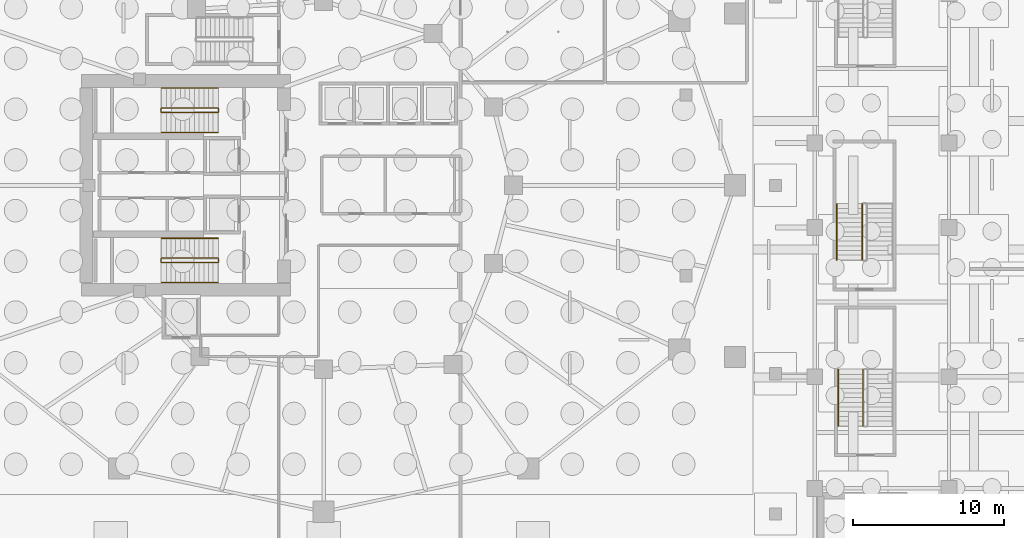
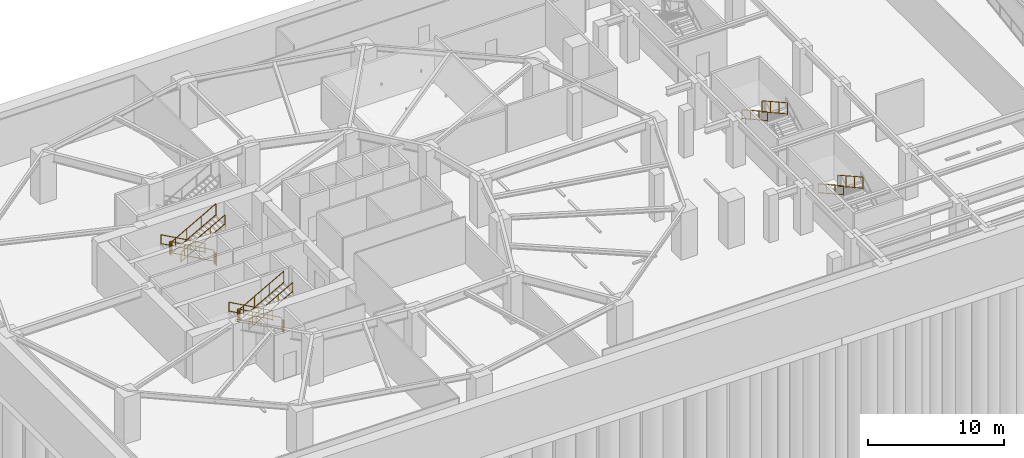
# One storey, part 15 of 19: 16 railings.
"""IFC4 building model written with IfcOpenShell, lengths in metres."""

import ifcopenshell
import ifcopenshell.guid

model = None  # the IFC model being written
_history = None  # IfcOwnerHistory: only IFC2X3 demands one
_inside = {}  # id of a spatial element -> (the spatial element, [elements in it])
_under = {}  # id of a project, library or spatial element -> (it, [spatial elements below it])
_declared = {}  # id of a project -> (the project, [libraries it declares])
_typed = {}  # id of a type object -> (the type object, [elements of that type])
_made_of = {}  # id of a material, layer set ... -> (it, [elements and type objects made of it])


def new_model(schema):
    """Start an empty IFC model of exactly this schema.

    Asked for "IFC4X3", IfcOpenShell would pick the latest addendum, in which some entities
    have other attributes; the version numbers below select the first issue.
    IFC2X3 requires an IfcOwnerHistory on every rooted entity: one is made here for all.
    """
    global model, _history
    if schema == "IFC4X3":
        model = ifcopenshell.file(schema_version=(4, 3, 0, 0))
    else:
        model = ifcopenshell.file(schema=schema)
    _inside.clear()
    _under.clear()
    _declared.clear()
    _typed.clear()
    _made_of.clear()
    _history = None
    if model.schema == "IFC2X3":
        org = make("IfcOrganization", Name="unknown")
        user = make(
            "IfcPersonAndOrganization",
            ThePerson=make("IfcPerson", FamilyName="unknown"),
            TheOrganization=org,
        )
        app = make(
            "IfcApplication",
            ApplicationDeveloper=org,
            Version="unknown",
            ApplicationFullName="unknown",
            ApplicationIdentifier="unknown",
        )
        _history = make(
            "IfcOwnerHistory",
            OwningUser=user,
            OwningApplication=app,
            ChangeAction="ADDED",
            CreationDate=0,
        )
    return model


def make(cls, **values):
    """One entity of the class cls with the attributes given. An attribute that is None is left unset."""
    return model.create_entity(
        cls, **{name: value for name, value in values.items() if value is not None}
    )


def rooted(cls, **values):
    """An entity with a GlobalId (a new one), such as an element, a storey or a relation."""
    return make(cls, GlobalId=ifcopenshell.guid.new(), OwnerHistory=_history, **values)


def si_unit(unit_type, name, prefix=None):
    """IfcSIUnit, for example si_unit("LENGTHUNIT", "METRE", prefix="MILLI")."""
    return make("IfcSIUnit", UnitType=unit_type, Prefix=prefix, Name=name)


def assignment(units):
    """IfcUnitAssignment: the units of a project."""
    return None if units is None else make("IfcUnitAssignment", Units=units)


def point(xyz):
    """IfcCartesianPoint."""
    return None if xyz is None else make("IfcCartesianPoint", Coordinates=xyz)


def direction(xyz):
    """IfcDirection."""
    return None if xyz is None else make("IfcDirection", DirectionRatios=xyz)


def frame(location, z_axis=None, x_axis=None):
    """IfcAxis2Placement3D, a coordinate frame: its origin and axes. An axis left out is left unset."""
    return make(
        "IfcAxis2Placement3D",
        Location=point(location),
        Axis=direction(z_axis),
        RefDirection=direction(x_axis),
    )


def frame_2d(location, x_axis=None):
    """IfcAxis2Placement2D, a coordinate frame in the plane: its origin and x axis."""
    return make(
        "IfcAxis2Placement2D", Location=point(location), RefDirection=direction(x_axis)
    )


def origin():
    """The frame at (0, 0, 0) with its axes left unset."""
    return frame((0.0, 0.0, 0.0))


def origin_2d():
    """The frame at (0, 0) in the plane with its x axis left unset."""
    return frame_2d((0.0, 0.0))


def place(relative_to, where):
    """IfcLocalPlacement: puts the frame where relative to a parent placement (None: the world)."""
    return make(
        "IfcLocalPlacement", PlacementRelTo=relative_to, RelativePlacement=where
    )


def context(
    kind, dimensions, precision=None, world=None, true_north=None, identifier=None
):
    """IfcGeometricRepresentationContext, for example the 3D "Model" context."""
    return make(
        "IfcGeometricRepresentationContext",
        ContextIdentifier=identifier,
        ContextType=kind,
        CoordinateSpaceDimension=dimensions,
        Precision=precision,
        WorldCoordinateSystem=world,
        TrueNorth=true_north,
    )


def subcontext(parent, identifier, kind, view, scale=None):
    """IfcGeometricRepresentationSubContext, for example "Body" below "Model"."""
    return make(
        "IfcGeometricRepresentationSubContext",
        ContextIdentifier=identifier,
        ContextType=kind,
        ParentContext=parent,
        TargetScale=scale,
        TargetView=view,
    )


def project(units=None, contexts=None):
    """IfcProject with its units and contexts."""
    return rooted(
        "IfcProject",
        Name="project",
        RepresentationContexts=contexts,
        UnitsInContext=assignment(units),
    )


def spatial(cls, under=None, at=None, **own):
    """A site, building, storey or space (cls), placed at a placement, below another one or the project."""
    s = rooted(cls, ObjectPlacement=at, **own)
    if under is not None:
        _under.setdefault(under.id(), (under, []))[1].append(s)
    return s


def profile(cls, at=None, kind="AREA", **sizes):
    """A parametric profile (cls). Its sizes go by their IFC names, for example OverallWidth=200.0."""
    return make(cls, ProfileType=kind, Position=at, **sizes)


def rectangle(**sizes):
    """IfcRectangleProfileDef."""
    return profile("IfcRectangleProfileDef", **sizes)


def extrude(swept, where, along, depth):
    """IfcExtrudedAreaSolid: the profile swept, set in the frame where, extruded along a direction by depth."""
    return make(
        "IfcExtrudedAreaSolid",
        SweptArea=swept,
        Position=where,
        ExtrudedDirection=direction(along),
        Depth=depth,
    )


def shape(context_of_items, identifier, shape_type, items):
    """IfcShapeRepresentation: the items that make up one representation, for example the "Body"."""
    return make(
        "IfcShapeRepresentation",
        ContextOfItems=context_of_items,
        RepresentationIdentifier=identifier,
        RepresentationType=shape_type,
        Items=items,
    )


def material(Name=None, Category=None):
    """IfcMaterial."""
    return make("IfcMaterial", Name=Name, Category=Category)


def made_of(thing, what):
    """Note that an element or type object is made of a material, layer set ...; save() writes the relation."""
    if what is not None:
        _made_of.setdefault(what.id(), (what, []))[1].append(thing)
    return thing


def type_object(cls, material=None, **own):
    """A type object (cls), such as IfcWallType, which elements share."""
    return made_of(rooted(cls, **own), material)


def element(
    cls,
    number,
    at=None,
    inside=None,
    cuts=None,
    type_object=None,
    material=None,
    context=None,
    identifier="Body",
    shape_type=None,
    held_by="IfcProductDefinitionShape",
    body=None,
    shapes=None,
    **own,
):
    """One element of the class cls, such as IfcWall. Its Tag is "e" and its number.

    at: its placement. inside: the storey or other place that contains it. cuts: it is an
    opening in that element (IfcRelVoidsElement). A single representation is given by context,
    identifier, shape_type and body (its items); several are given by shapes. held_by: the class
    of the entity that holds the representations. save() writes the other relations.
    """
    e = rooted(cls, Tag="e%d" % number, ObjectPlacement=at, **own)
    if body is not None:
        shapes = [shape(context, identifier, shape_type, body)]
    if shapes is not None:
        e.Representation = make(held_by, Representations=shapes)
    if inside is not None:
        _inside.setdefault(inside.id(), (inside, []))[1].append(e)
    if cuts is not None:
        rooted(
            "IfcRelVoidsElement", RelatingBuildingElement=cuts, RelatedOpeningElement=e
        )
    if type_object is not None:
        _typed.setdefault(type_object.id(), (type_object, []))[1].append(e)
    return made_of(e, material)


def aggregate(whole, parts):
    """IfcRelAggregates: a whole, such as a stair, and the parts it consists of."""
    return rooted("IfcRelAggregates", RelatingObject=whole, RelatedObjects=parts)


def save(model, path):
    """Write the relations noted so far, then the file.

    IfcRelAggregates (storeys below a building ...), IfcRelContainedInSpatialStructure (elements
    in a storey), IfcRelDefinesByType, IfcRelAssociatesMaterial and IfcRelDeclares: one each for
    every whole, place, type object, material and project.
    """
    for whole, parts in _under.values():
        aggregate(whole, parts)
    for where, things in _inside.values():
        rooted(
            "IfcRelContainedInSpatialStructure",
            RelatedElements=things,
            RelatingStructure=where,
        )
    for kind, things in _typed.values():
        rooted("IfcRelDefinesByType", RelatedObjects=things, RelatingType=kind)
    for what, things in _made_of.values():
        rooted("IfcRelAssociatesMaterial", RelatedObjects=things, RelatingMaterial=what)
    for by, libraries in _declared.values():
        rooted("IfcRelDeclares", RelatingContext=by, RelatedDefinitions=libraries)
    model.write(path)


model = new_model("IFC4")

# Units and contexts
model_context = context("Model", 3, precision=1e-05, world=origin(), true_north=direction((0.0, 1.0)))
body_context = subcontext(model_context, "Body", "Model", "MODEL_VIEW")
ifc_project = project(units=[si_unit("LENGTHUNIT", "METRE"), si_unit("AREAUNIT", "SQUARE_METRE"), si_unit("VOLUMEUNIT", "CUBIC_METRE"), si_unit("PLANEANGLEUNIT", "RADIAN"), si_unit("MASSUNIT", "GRAM", prefix="KILO")], contexts=[model_context])

# Site, building, storey
site_placement = place(None, origin())
site = spatial("IfcSite", under=ifc_project, at=site_placement, CompositionType="ELEMENT")
building_placement = place(site_placement, origin())
building = spatial("IfcBuilding", under=site, at=building_placement, Name="Kolvaren Gate Tower and Convention Centre", CompositionType="ELEMENT")
storey_placement = place(building_placement, frame((0.0, 0.0, -13.5)))
storey = spatial("IfcBuildingStorey", under=building, at=storey_placement, Name="B3", CompositionType="ELEMENT", Elevation=-13.5)

# Railings
ifc_material = material(Name="Brushed Stainless Steel Grade 316L", Category="steel")
railing_type_1 = type_object("IfcRailingType", Name="ARCH-RL-GUARD-1150", PredefinedType="GUARDRAIL", material=ifc_material)
railing_1_placement = place(storey_placement, frame((23.10009765625, 32.1298828125, 0.173095703125)))
element("IfcRailing", 1, at=railing_1_placement, inside=storey, type_object=railing_type_1, Name="B3 ST-T1 stair guard 1", PredefinedType="GUARDRAIL", context=body_context, shape_type="SweptSolid", body=[
    extrude(rectangle(XDim=0.048095703125, YDim=0.048095703125, at=origin_2d()), frame((0.0, 0.0, 1.076171875), z_axis=(-0.873147225507, 0.0, 0.487456585338), x_axis=(0.0, -1.0, 0.0)), (0.0, 0.0, 1.0), 4.2607421875),
    extrude(rectangle(XDim=0.048095703125, YDim=0.048095703125, at=origin_2d()), frame((0.0, 0.0, 0.083984375), z_axis=(-0.873147225507, 0.0, 0.487456585338), x_axis=(0.0, -1.0, 0.0)), (0.0, 0.0, 1.0), 4.2607421875),
    extrude(rectangle(XDim=0.0419921875, YDim=0.0419921875, at=origin_2d()), origin(), (0.0, 0.0, 1.0), 1.050048828125),
    extrude(rectangle(XDim=0.0419921875, YDim=0.0419921875, at=origin_2d()), frame((-3.72021484375, 0.0, 2.076904296875)), (0.0, 0.0, 1.0), 1.050048828125),
    extrude(rectangle(XDim=0.0419921875, YDim=0.0419921875, at=origin_2d()), frame((-1.239990234375, 0.0, 0.6923828125)), (0.0, 0.0, 1.0), 1.050048828125),
    extrude(rectangle(XDim=0.0419921875, YDim=0.0419921875, at=origin_2d()), frame((-2.480224609375, 0.0, 1.384521484375)), (0.0, 0.0, 1.0), 1.050048828125),
])
railing_2_placement = place(storey_placement, frame((19.330078125, 32.080078125, 2.25)))
element("IfcRailing", 2, at=railing_2_placement, inside=storey, type_object=railing_type_1, Name="B3 ST-T1 stair guard 2", PredefinedType="GUARDRAIL", context=body_context, shape_type="SweptSolid", body=[
    extrude(rectangle(XDim=0.048095703125, YDim=0.048095703125, at=origin_2d()), frame((0.0, 0.0, 1.076171875), z_axis=(0.0, -1.0, 0.0), x_axis=(1.0, 0.0, 0.0)), (0.0, 0.0, 1.0), 0.2001953125),
    extrude(rectangle(XDim=0.048095703125, YDim=0.048095703125, at=origin_2d()), frame((0.0, 0.0, 0.083984375), z_axis=(0.0, -1.0, 0.0), x_axis=(1.0, 0.0, 0.0)), (0.0, 0.0, 1.0), 0.2001953125),
    extrude(rectangle(XDim=0.0419921875, YDim=0.0419921875, at=origin_2d()), origin(), (0.0, 0.0, 1.0), 1.050048828125),
    extrude(rectangle(XDim=0.0419921875, YDim=0.0419921875, at=origin_2d()), frame((0.0, -0.2001953125, 0.0)), (0.0, 0.0, 1.0), 1.050048828125),
])
railing_3_placement = place(storey_placement, frame((19.3798828125, 31.830078125, 2.423095703125)))
element("IfcRailing", 3, at=railing_3_placement, inside=storey, type_object=railing_type_1, Name="B3 ST-T1 stair guard 3", PredefinedType="GUARDRAIL", context=body_context, shape_type="SweptSolid", body=[
    extrude(rectangle(XDim=0.048095703125, YDim=0.048095703125, at=origin_2d()), frame((0.0, 0.0, 1.076171875), z_axis=(0.873147225507, 0.0, 0.487456585338), x_axis=(0.0, 1.0, 0.0)), (0.0, 0.0, 1.0), 4.2607421875),
    extrude(rectangle(XDim=0.048095703125, YDim=0.048095703125, at=origin_2d()), frame((0.0, 0.0, 0.083984375), z_axis=(0.873147225507, 0.0, 0.487456585338), x_axis=(0.0, 1.0, 0.0)), (0.0, 0.0, 1.0), 4.2607421875),
    extrude(rectangle(XDim=0.0419921875, YDim=0.0419921875, at=origin_2d()), origin(), (0.0, 0.0, 1.0), 1.050048828125),
    extrude(rectangle(XDim=0.0419921875, YDim=0.0419921875, at=origin_2d()), frame((3.72021484375, 0.0, 2.076904296875)), (0.0, 0.0, 1.0), 1.050048828125),
    extrude(rectangle(XDim=0.0419921875, YDim=0.0419921875, at=origin_2d()), frame((1.239990234375, 0.0, 0.6923828125)), (0.0, 0.0, 1.0), 1.050048828125),
    extrude(rectangle(XDim=0.0419921875, YDim=0.0419921875, at=origin_2d()), frame((2.480224609375, 0.0, 1.384521484375)), (0.0, 0.0, 1.0), 1.050048828125),
])
railing_4_placement = place(storey_placement, frame((23.14990234375, 32.080078125, 0.0)))
element("IfcRailing", 4, at=railing_4_placement, inside=storey, type_object=railing_type_1, Name="B3 ST-T1 stair guard 4", PredefinedType="GUARDRAIL", context=body_context, shape_type="SweptSolid", body=[
    extrude(rectangle(XDim=0.048095703125, YDim=0.048095703125, at=origin_2d()), frame((0.0, 0.0, 1.076171875), z_axis=(0.0, -1.0, 0.0), x_axis=(1.0, 0.0, 0.0)), (0.0, 0.0, 1.0), 0.2001953125),
    extrude(rectangle(XDim=0.048095703125, YDim=0.048095703125, at=origin_2d()), frame((0.0, 0.0, 0.083984375), z_axis=(0.0, -1.0, 0.0), x_axis=(1.0, 0.0, 0.0)), (0.0, 0.0, 1.0), 0.2001953125),
    extrude(rectangle(XDim=0.0419921875, YDim=0.0419921875, at=origin_2d()), origin(), (0.0, 0.0, 1.0), 1.050048828125),
    extrude(rectangle(XDim=0.0419921875, YDim=0.0419921875, at=origin_2d()), frame((0.0, -0.2001953125, 0.0)), (0.0, 0.0, 1.0), 1.050048828125),
])
railing_5_placement = place(storey_placement, frame((23.10009765625, 22.169921875, 0.173095703125)))
element("IfcRailing", 5, at=railing_5_placement, inside=storey, type_object=railing_type_1, Name="B3 ST-T2 stair guard 1", PredefinedType="GUARDRAIL", context=body_context, shape_type="SweptSolid", body=[
    extrude(rectangle(XDim=0.048095703125, YDim=0.048095703125, at=origin_2d()), frame((0.0, 0.0, 1.076171875), z_axis=(-0.873147225507, 0.0, 0.487456585338), x_axis=(0.0, -1.0, 0.0)), (0.0, 0.0, 1.0), 4.2607421875),
    extrude(rectangle(XDim=0.048095703125, YDim=0.048095703125, at=origin_2d()), frame((0.0, 0.0, 0.083984375), z_axis=(-0.873147225507, 0.0, 0.487456585338), x_axis=(0.0, -1.0, 0.0)), (0.0, 0.0, 1.0), 4.2607421875),
    extrude(rectangle(XDim=0.0419921875, YDim=0.0419921875, at=origin_2d()), origin(), (0.0, 0.0, 1.0), 1.050048828125),
    extrude(rectangle(XDim=0.0419921875, YDim=0.0419921875, at=origin_2d()), frame((-3.72021484375, 0.0, 2.076904296875)), (0.0, 0.0, 1.0), 1.050048828125),
    extrude(rectangle(XDim=0.0419921875, YDim=0.0419921875, at=origin_2d()), frame((-1.239990234375, 0.0, 0.6923828125)), (0.0, 0.0, 1.0), 1.050048828125),
    extrude(rectangle(XDim=0.0419921875, YDim=0.0419921875, at=origin_2d()), frame((-2.480224609375, 0.0, 1.384521484375)), (0.0, 0.0, 1.0), 1.050048828125),
])
railing_6_placement = place(storey_placement, frame((19.330078125, 22.1201171875, 2.25)))
element("IfcRailing", 6, at=railing_6_placement, inside=storey, type_object=railing_type_1, Name="B3 ST-T2 stair guard 2", PredefinedType="GUARDRAIL", context=body_context, shape_type="SweptSolid", body=[
    extrude(rectangle(XDim=0.048095703125, YDim=0.048095703125, at=origin_2d()), frame((0.0, 0.0, 1.076171875), z_axis=(0.0, -1.0, 0.0), x_axis=(1.0, 0.0, 0.0)), (0.0, 0.0, 1.0), 0.2001953125),
    extrude(rectangle(XDim=0.048095703125, YDim=0.048095703125, at=origin_2d()), frame((0.0, 0.0, 0.083984375), z_axis=(0.0, -1.0, 0.0), x_axis=(1.0, 0.0, 0.0)), (0.0, 0.0, 1.0), 0.2001953125),
    extrude(rectangle(XDim=0.0419921875, YDim=0.0419921875, at=origin_2d()), origin(), (0.0, 0.0, 1.0), 1.050048828125),
    extrude(rectangle(XDim=0.0419921875, YDim=0.0419921875, at=origin_2d()), frame((0.0, -0.2001953125, 0.0)), (0.0, 0.0, 1.0), 1.050048828125),
])
railing_7_placement = place(storey_placement, frame((19.3798828125, 21.8701171875, 2.423095703125)))
element("IfcRailing", 7, at=railing_7_placement, inside=storey, type_object=railing_type_1, Name="B3 ST-T2 stair guard 3", PredefinedType="GUARDRAIL", context=body_context, shape_type="SweptSolid", body=[
    extrude(rectangle(XDim=0.048095703125, YDim=0.048095703125, at=origin_2d()), frame((0.0, 0.0, 1.076171875), z_axis=(0.873147225507, 0.0, 0.487456585338), x_axis=(0.0, 1.0, 0.0)), (0.0, 0.0, 1.0), 4.2607421875),
    extrude(rectangle(XDim=0.048095703125, YDim=0.048095703125, at=origin_2d()), frame((0.0, 0.0, 0.083984375), z_axis=(0.873147225507, 0.0, 0.487456585338), x_axis=(0.0, 1.0, 0.0)), (0.0, 0.0, 1.0), 4.2607421875),
    extrude(rectangle(XDim=0.0419921875, YDim=0.0419921875, at=origin_2d()), origin(), (0.0, 0.0, 1.0), 1.050048828125),
    extrude(rectangle(XDim=0.0419921875, YDim=0.0419921875, at=origin_2d()), frame((3.72021484375, 0.0, 2.076904296875)), (0.0, 0.0, 1.0), 1.050048828125),
    extrude(rectangle(XDim=0.0419921875, YDim=0.0419921875, at=origin_2d()), frame((1.239990234375, 0.0, 0.6923828125)), (0.0, 0.0, 1.0), 1.050048828125),
    extrude(rectangle(XDim=0.0419921875, YDim=0.0419921875, at=origin_2d()), frame((2.480224609375, 0.0, 1.384521484375)), (0.0, 0.0, 1.0), 1.050048828125),
])
railing_8_placement = place(storey_placement, frame((23.14990234375, 22.1201171875, 0.0)))
element("IfcRailing", 8, at=railing_8_placement, inside=storey, type_object=railing_type_1, Name="B3 ST-T2 stair guard 4", PredefinedType="GUARDRAIL", context=body_context, shape_type="SweptSolid", body=[
    extrude(rectangle(XDim=0.048095703125, YDim=0.048095703125, at=origin_2d()), frame((0.0, 0.0, 1.076171875), z_axis=(0.0, -1.0, 0.0), x_axis=(1.0, 0.0, 0.0)), (0.0, 0.0, 1.0), 0.2001953125),
    extrude(rectangle(XDim=0.048095703125, YDim=0.048095703125, at=origin_2d()), frame((0.0, 0.0, 0.083984375), z_axis=(0.0, -1.0, 0.0), x_axis=(1.0, 0.0, 0.0)), (0.0, 0.0, 1.0), 0.2001953125),
    extrude(rectangle(XDim=0.0419921875, YDim=0.0419921875, at=origin_2d()), origin(), (0.0, 0.0, 1.0), 1.050048828125),
    extrude(rectangle(XDim=0.0419921875, YDim=0.0419921875, at=origin_2d()), frame((0.0, -0.2001953125, 0.0)), (0.0, 0.0, 1.0), 1.050048828125),
])
for number, where, name in (
    (9, (65.89990234375, 14.77001953125, 2.423095703125), "B3 ST-C2 stair guard 3"),
    (10, (65.85009765625, 25.77001953125, 2.423095703125), "B3 ST-C5 stair guard 3"),
):
    element("IfcRailing", number, at=place(storey_placement, frame(where)), inside=storey, type_object=railing_type_1, Name=name, PredefinedType="GUARDRAIL", context=body_context, shape_type="SweptSolid", body=[
        extrude(rectangle(XDim=0.048095703125, YDim=0.048095703125, at=origin_2d()), frame((0.0, 0.0, 1.076171875), z_axis=(0.0, -0.873133609054, 0.487480974747), x_axis=(1.0, 0.0, 0.0)), (0.0, 0.0, 1.0), 4.260498046875),
        extrude(rectangle(XDim=0.048095703125, YDim=0.048095703125, at=origin_2d()), frame((0.0, 0.0, 0.083984375), z_axis=(0.0, -0.873133609054, 0.487480974747), x_axis=(1.0, 0.0, 0.0)), (0.0, 0.0, 1.0), 4.260498046875),
        extrude(rectangle(XDim=0.0419921875, YDim=0.0419921875, at=origin_2d()), origin(), (0.0, 0.0, 1.0), 1.050048828125),
        extrude(rectangle(XDim=0.0419921875, YDim=0.0419921875, at=origin_2d()), frame((0.0, -3.719970703125, 2.076904296875)), (0.0, 0.0, 1.0), 1.050048828125),
        extrude(rectangle(XDim=0.0419921875, YDim=0.0419921875, at=origin_2d()), frame((0.0, -1.239990234375, 0.6923828125)), (0.0, 0.0, 1.0), 1.050048828125),
        extrude(rectangle(XDim=0.0419921875, YDim=0.0419921875, at=origin_2d()), frame((0.0, -2.47998046875, 1.384521484375)), (0.0, 0.0, 1.0), 1.050048828125),
    ])
railing_type_2 = type_object("IfcRailingType", Name="ARCH-RL-HANDRAIL-920", PredefinedType="HANDRAIL", material=ifc_material)
railing_9_placement = place(storey_placement, frame((23.10009765625, 33.449951171875, 0.173095703125)))
element("IfcRailing", 11, at=railing_9_placement, inside=storey, type_object=railing_type_2, Name="B3 ST-T1 stair handrail 1", PredefinedType="HANDRAIL", context=body_context, shape_type="SweptSolid", body=[
    extrude(rectangle(XDim=0.048095703125, YDim=0.048095703125, at=origin_2d()), frame((0.0, 0.0, 0.8759765625), z_axis=(-0.873147225507, 0.0, 0.487456585338), x_axis=(0.0, -1.0, 0.0)), (0.0, 0.0, 1.0), 4.2607421875),
    extrude(rectangle(XDim=0.048095703125, YDim=0.048095703125, at=origin_2d()), frame((0.0, 0.0, 0.083984375), z_axis=(-0.873147225507, 0.0, 0.487456585338), x_axis=(0.0, -1.0, 0.0)), (0.0, 0.0, 1.0), 4.2607421875),
    extrude(rectangle(XDim=0.0419921875, YDim=0.0419921875, at=origin_2d()), origin(), (0.0, 0.0, 1.0), 0.849853515625),
    extrude(rectangle(XDim=0.0419921875, YDim=0.0419921875, at=origin_2d()), frame((-3.72021484375, 0.0, 2.076904296875)), (0.0, 0.0, 1.0), 0.849853515625),
    extrude(rectangle(XDim=0.0419921875, YDim=0.0419921875, at=origin_2d()), frame((-1.239990234375, 0.0, 0.6923828125)), (0.0, 0.0, 1.0), 0.849853515625),
    extrude(rectangle(XDim=0.0419921875, YDim=0.0419921875, at=origin_2d()), frame((-2.480224609375, 0.0, 1.384521484375)), (0.0, 0.0, 1.0), 0.849853515625),
])
railing_10_placement = place(storey_placement, frame((19.3798828125, 30.510009765625, 2.423095703125)))
element("IfcRailing", 12, at=railing_10_placement, inside=storey, type_object=railing_type_2, Name="B3 ST-T1 stair handrail 2", PredefinedType="HANDRAIL", context=body_context, shape_type="SweptSolid", body=[
    extrude(rectangle(XDim=0.048095703125, YDim=0.048095703125, at=origin_2d()), frame((0.0, 0.0, 0.8759765625), z_axis=(0.873147225507, 0.0, 0.487456585338), x_axis=(0.0, 1.0, 0.0)), (0.0, 0.0, 1.0), 4.2607421875),
    extrude(rectangle(XDim=0.048095703125, YDim=0.048095703125, at=origin_2d()), frame((0.0, 0.0, 0.083984375), z_axis=(0.873147225507, 0.0, 0.487456585338), x_axis=(0.0, 1.0, 0.0)), (0.0, 0.0, 1.0), 4.2607421875),
    extrude(rectangle(XDim=0.0419921875, YDim=0.0419921875, at=origin_2d()), origin(), (0.0, 0.0, 1.0), 0.849853515625),
    extrude(rectangle(XDim=0.0419921875, YDim=0.0419921875, at=origin_2d()), frame((3.72021484375, 0.0, 2.076904296875)), (0.0, 0.0, 1.0), 0.849853515625),
    extrude(rectangle(XDim=0.0419921875, YDim=0.0419921875, at=origin_2d()), frame((1.239990234375, 0.0, 0.6923828125)), (0.0, 0.0, 1.0), 0.849853515625),
    extrude(rectangle(XDim=0.0419921875, YDim=0.0419921875, at=origin_2d()), frame((2.480224609375, 0.0, 1.384521484375)), (0.0, 0.0, 1.0), 0.849853515625),
])
railing_11_placement = place(storey_placement, frame((23.10009765625, 23.489990234375, 0.173095703125)))
element("IfcRailing", 13, at=railing_11_placement, inside=storey, type_object=railing_type_2, Name="B3 ST-T2 stair handrail 1", PredefinedType="HANDRAIL", context=body_context, shape_type="SweptSolid", body=[
    extrude(rectangle(XDim=0.048095703125, YDim=0.048095703125, at=origin_2d()), frame((0.0, 0.0, 0.8759765625), z_axis=(-0.873147225507, 0.0, 0.487456585338), x_axis=(0.0, -1.0, 0.0)), (0.0, 0.0, 1.0), 4.2607421875),
    extrude(rectangle(XDim=0.048095703125, YDim=0.048095703125, at=origin_2d()), frame((0.0, 0.0, 0.083984375), z_axis=(-0.873147225507, 0.0, 0.487456585338), x_axis=(0.0, -1.0, 0.0)), (0.0, 0.0, 1.0), 4.2607421875),
    extrude(rectangle(XDim=0.0419921875, YDim=0.0419921875, at=origin_2d()), origin(), (0.0, 0.0, 1.0), 0.849853515625),
    extrude(rectangle(XDim=0.0419921875, YDim=0.0419921875, at=origin_2d()), frame((-3.72021484375, 0.0, 2.076904296875)), (0.0, 0.0, 1.0), 0.849853515625),
    extrude(rectangle(XDim=0.0419921875, YDim=0.0419921875, at=origin_2d()), frame((-1.239990234375, 0.0, 0.6923828125)), (0.0, 0.0, 1.0), 0.849853515625),
    extrude(rectangle(XDim=0.0419921875, YDim=0.0419921875, at=origin_2d()), frame((-2.480224609375, 0.0, 1.384521484375)), (0.0, 0.0, 1.0), 0.849853515625),
])
railing_12_placement = place(storey_placement, frame((19.3798828125, 20.550048828125, 2.423095703125)))
element("IfcRailing", 14, at=railing_12_placement, inside=storey, type_object=railing_type_2, Name="B3 ST-T2 stair handrail 2", PredefinedType="HANDRAIL", context=body_context, shape_type="SweptSolid", body=[
    extrude(rectangle(XDim=0.048095703125, YDim=0.048095703125, at=origin_2d()), frame((0.0, 0.0, 0.8759765625), z_axis=(0.873147225507, 0.0, 0.487456585338), x_axis=(0.0, 1.0, 0.0)), (0.0, 0.0, 1.0), 4.2607421875),
    extrude(rectangle(XDim=0.048095703125, YDim=0.048095703125, at=origin_2d()), frame((0.0, 0.0, 0.083984375), z_axis=(0.873147225507, 0.0, 0.487456585338), x_axis=(0.0, 1.0, 0.0)), (0.0, 0.0, 1.0), 4.2607421875),
    extrude(rectangle(XDim=0.0419921875, YDim=0.0419921875, at=origin_2d()), origin(), (0.0, 0.0, 1.0), 0.849853515625),
    extrude(rectangle(XDim=0.0419921875, YDim=0.0419921875, at=origin_2d()), frame((3.72021484375, 0.0, 2.076904296875)), (0.0, 0.0, 1.0), 0.849853515625),
    extrude(rectangle(XDim=0.0419921875, YDim=0.0419921875, at=origin_2d()), frame((1.239990234375, 0.0, 0.6923828125)), (0.0, 0.0, 1.0), 0.849853515625),
    extrude(rectangle(XDim=0.0419921875, YDim=0.0419921875, at=origin_2d()), frame((2.480224609375, 0.0, 1.384521484375)), (0.0, 0.0, 1.0), 0.849853515625),
])
for number, where, name in (
    (15, (64.25, 14.77001953125, 2.423095703125), "B3 ST-C2 stair handrail 2"),
    (16, (64.14990234375, 25.77001953125, 2.423095703125), "B3 ST-C5 stair handrail 2"),
):
    element("IfcRailing", number, at=place(storey_placement, frame(where)), inside=storey, type_object=railing_type_2, Name=name, PredefinedType="HANDRAIL", context=body_context, shape_type="SweptSolid", body=[
        extrude(rectangle(XDim=0.048095703125, YDim=0.048095703125, at=origin_2d()), frame((0.0, 0.0, 0.8759765625), z_axis=(0.0, -0.873133609054, 0.487480974747), x_axis=(1.0, 0.0, 0.0)), (0.0, 0.0, 1.0), 4.260498046875),
        extrude(rectangle(XDim=0.048095703125, YDim=0.048095703125, at=origin_2d()), frame((0.0, 0.0, 0.083984375), z_axis=(0.0, -0.873133609054, 0.487480974747), x_axis=(1.0, 0.0, 0.0)), (0.0, 0.0, 1.0), 4.260498046875),
        extrude(rectangle(XDim=0.0419921875, YDim=0.0419921875, at=origin_2d()), origin(), (0.0, 0.0, 1.0), 0.849853515625),
        extrude(rectangle(XDim=0.0419921875, YDim=0.0419921875, at=origin_2d()), frame((0.0, -3.719970703125, 2.076904296875)), (0.0, 0.0, 1.0), 0.849853515625),
        extrude(rectangle(XDim=0.0419921875, YDim=0.0419921875, at=origin_2d()), frame((0.0, -1.239990234375, 0.6923828125)), (0.0, 0.0, 1.0), 0.849853515625),
        extrude(rectangle(XDim=0.0419921875, YDim=0.0419921875, at=origin_2d()), frame((0.0, -2.47998046875, 1.384521484375)), (0.0, 0.0, 1.0), 0.849853515625),
    ])

save(model, "model.ifc")
